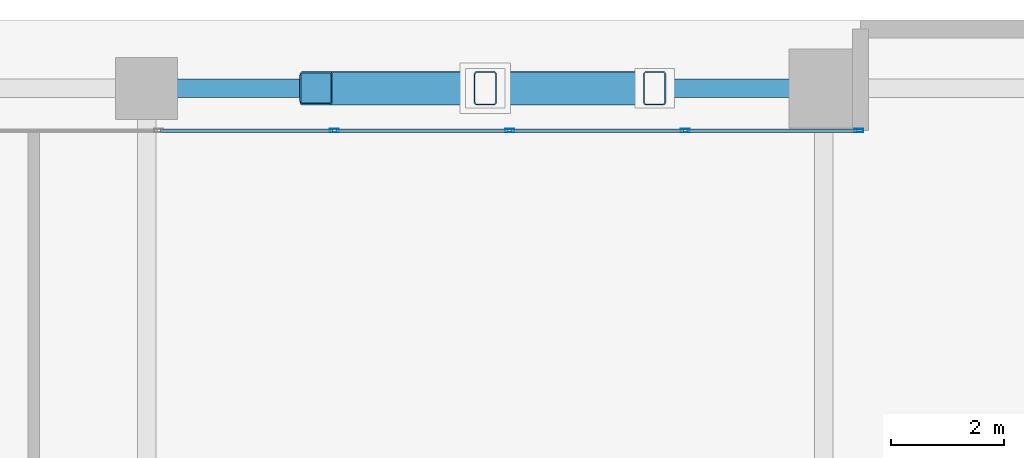
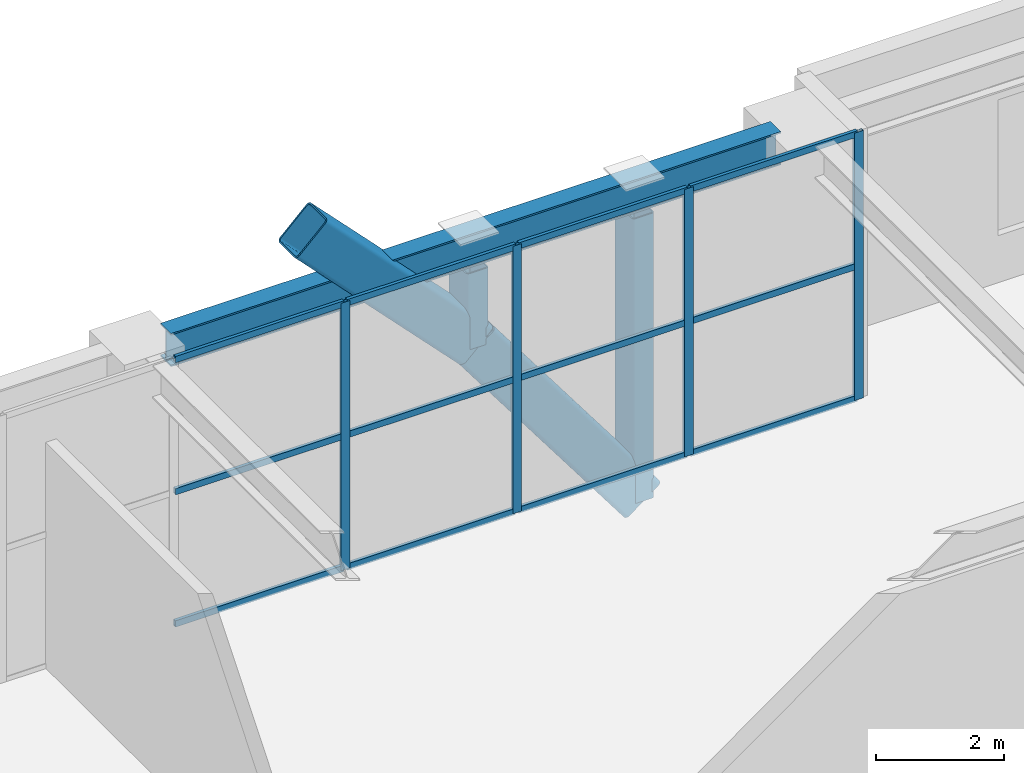
# One storey, part 16 of 28: 20 members, 1 beam, 1 element without a shape of its own.
"""IFC4 building model written with IfcOpenShell, lengths in metres."""

from ifc_helpers import new_model, si_unit, direction, frame, origin, origin_2d, place, context, subcontext, project, spatial, hollow_rectangle, i_section, extrude, material, layer, layer_set, material_profile, profile_set, type_object, element, aggregate, save


model = new_model("IFC4")

# Units and contexts
model_context = context("Model", 3, precision=1e-05, world=origin(), true_north=direction((0.0, 1.0)))
body_context = subcontext(model_context, "Body", "Model", "MODEL_VIEW")
ifc_project = project(units=[si_unit("LENGTHUNIT", "METRE"), si_unit("AREAUNIT", "SQUARE_METRE"), si_unit("VOLUMEUNIT", "CUBIC_METRE"), si_unit("PLANEANGLEUNIT", "RADIAN"), si_unit("MASSUNIT", "GRAM", prefix="KILO")], contexts=[model_context])

# Site, building, storey
site_placement = place(None, origin())
site = spatial("IfcSite", under=ifc_project, at=site_placement, CompositionType="ELEMENT")
building_placement = place(site_placement, origin())
building = spatial("IfcBuilding", under=site, at=building_placement, Name="Sarneth Arch Tower", CompositionType="ELEMENT")
storey_placement = place(building_placement, frame((0.0, 0.0, 6.0)))
storey = spatial("IfcBuildingStorey", under=building, at=storey_placement, Name="L01", CompositionType="ELEMENT", Elevation=6.0)

# Beam
ifc_material_1 = material(Name="Steel S355", Category="steel")
ifc_material_profile_1 = material_profile(ifc_material_1, i_section(OverallWidth=0.3291015625, OverallDepth=0.635009765625, WebThickness=0.017822265625, FlangeThickness=0.031005859375, FilletRadius=0.01904296875, at=origin_2d()), Name="W610x241")
ifc_profile_set_1 = profile_set([ifc_material_profile_1], Name="Steel S355")
beam_type = type_object("IfcBeamType", Name="BM-POD-610", PredefinedType="BEAM", material=ifc_profile_set_1)
beam_placement = place(storey_placement, frame((54.52001953125, 74.800048828125, 4.802490234375), z_axis=(1.0, 0.0, 0.0), x_axis=(0.0, 1.0, 0.0)))
element("IfcBeam", 1, at=beam_placement, inside=storey, type_object=beam_type, Name="L01 Podium PN girder 6", PredefinedType="BEAM", context=body_context, shape_type="SweptSolid", body=[
    extrude(i_section(OverallWidth=0.3291015625, OverallDepth=0.635009765625, WebThickness=0.017822265625, FlangeThickness=0.031005859375, FilletRadius=0.01904296875, at=origin_2d()), origin(), (0.0, 0.0, 1.0), 11.04443359375),
])

# Curtain wall, members
ifc_material_2 = material(Name="Anodised aluminium Type AA25 and solar-control low-e laminated IGU", Category="aluminium")
ifc_layer = layer(ifc_material_2, 0.199951171875)
ifc_layer_set = layer_set([ifc_layer], Name="Anodised aluminium Type AA25 and solar-control low-e laminated IGU")
curtain_wall_type = type_object("IfcCurtainWallType", Name="CW-ARCH-GLAZE", PredefinedType="NOTDEFINED", material=ifc_layer_set)
curtain_wall_placement = place(storey_placement, origin())
curtain_wall = element("IfcCurtainWall", 2, at=curtain_wall_placement, inside=storey, type_object=curtain_wall_type, Name="L01 North parabolic arch portal curtain wall", PredefinedType="NOTDEFINED")
ifc_material_3 = material(Name="Anodised Aluminium 6063-T6", Category="aluminium")
ifc_material_profile_2 = material_profile(ifc_material_3, hollow_rectangle(XDim=0.06005859375, YDim=0.159912109375, WallThickness=0.00390625, at=origin_2d()), Name="AL-MULL-160x60x4")
ifc_profile_set_2 = profile_set([ifc_material_profile_2], Name="Anodised Aluminium 6063-T6")
member_type_1 = type_object("IfcMemberType", Name="CW-MULLION", PredefinedType="MULLION", material=ifc_profile_set_2)
member_1_placement = place(storey_placement, frame((66.6201171875, 74.050048828125, 0.0), z_axis=(0.0, 0.0, 1.0), x_axis=(0.0, -1.0, 0.0)))
member_1 = element("IfcMember", 3, at=member_1_placement, type_object=member_type_1, Name="CW-SYS-2 mullion 1", PredefinedType="MULLION", context=body_context, shape_type="SweptSolid", body=[
    extrude(hollow_rectangle(XDim=0.06005859375, YDim=0.159912109375, WallThickness=0.00390625, at=origin_2d()), origin(), (0.0, 0.0, 1.0), 5.1201171875),
])
member_2_placement = place(storey_placement, frame((63.541748046875, 74.050048828125, 0.0), z_axis=(0.0, 0.0, 1.0), x_axis=(0.0, -1.0, 0.0)))
member_2 = element("IfcMember", 4, at=member_2_placement, type_object=member_type_1, Name="CW-SYS-2 mullion 2", PredefinedType="MULLION", context=body_context, shape_type="SweptSolid", body=[
    extrude(hollow_rectangle(XDim=0.06005859375, YDim=0.159912109375, WallThickness=0.00390625, at=origin_2d()), origin(), (0.0, 0.0, 1.0), 5.1201171875),
])
member_3_placement = place(storey_placement, frame((60.433349609375, 74.050048828125, 0.0), z_axis=(0.0, 0.0, 1.0), x_axis=(0.0, -1.0, 0.0)))
member_3 = element("IfcMember", 5, at=member_3_placement, type_object=member_type_1, Name="CW-SYS-2 mullion 3", PredefinedType="MULLION", context=body_context, shape_type="SweptSolid", body=[
    extrude(hollow_rectangle(XDim=0.06005859375, YDim=0.159912109375, WallThickness=0.00390625, at=origin_2d()), origin(), (0.0, 0.0, 1.0), 5.1201171875),
])
member_4_placement = place(storey_placement, frame((57.324951171875, 74.050048828125, 0.0), z_axis=(0.0, 0.0, 1.0), x_axis=(0.0, -1.0, 0.0)))
member_4 = element("IfcMember", 6, at=member_4_placement, type_object=member_type_1, Name="CW-SYS-2 mullion 4", PredefinedType="MULLION", context=body_context, shape_type="SweptSolid", body=[
    extrude(hollow_rectangle(XDim=0.06005859375, YDim=0.159912109375, WallThickness=0.00390625, at=origin_2d()), origin(), (0.0, 0.0, 1.0), 5.1201171875),
])
ifc_material_4 = material(Name="Anodised Aluminium 6063-T6", Category="aluminium")
ifc_material_profile_3 = material_profile(ifc_material_4, hollow_rectangle(XDim=0.06005859375, YDim=0.1201171875, WallThickness=0.00390625, at=origin_2d()), Name="AL-TRAN-120x60x4")
ifc_profile_set_3 = profile_set([ifc_material_profile_3], Name="Anodised Aluminium 6063-T6")
member_type_2 = type_object("IfcMemberType", Name="CW-TRANSOM", PredefinedType="USERDEFINED", material=ifc_profile_set_3)
member_5_placement = place(storey_placement, frame((66.590087890625, 74.050048828125, 0.030029296875), z_axis=(-1.0, 0.0, 0.0), x_axis=(0.0, -1.0, 0.0)))
member_5 = element("IfcMember", 7, at=member_5_placement, type_object=member_type_2, Name="CW-SYS-2 transom 1.1", ObjectType="TRANSOM", PredefinedType="USERDEFINED", context=body_context, shape_type="SweptSolid", body=[
    extrude(hollow_rectangle(XDim=0.06005859375, YDim=0.1201171875, WallThickness=0.00390625, at=origin_2d()), origin(), (0.0, 0.0, 1.0), 3.018310546875),
])
member_6_placement = place(storey_placement, frame((66.590087890625, 74.050048828125, 2.56005859375), z_axis=(-1.0, 0.0, 0.0), x_axis=(0.0, -1.0, 0.0)))
member_6 = element("IfcMember", 8, at=member_6_placement, type_object=member_type_2, Name="CW-SYS-2 transom 1.2", ObjectType="TRANSOM", PredefinedType="USERDEFINED", context=body_context, shape_type="SweptSolid", body=[
    extrude(hollow_rectangle(XDim=0.06005859375, YDim=0.1201171875, WallThickness=0.00390625, at=origin_2d()), origin(), (0.0, 0.0, 1.0), 3.018310546875),
])
member_7_placement = place(storey_placement, frame((66.590087890625, 74.050048828125, 5.090087890625), z_axis=(-1.0, 0.0, 0.0), x_axis=(0.0, -1.0, 0.0)))
member_7 = element("IfcMember", 9, at=member_7_placement, type_object=member_type_2, Name="CW-SYS-2 transom 1.3", ObjectType="TRANSOM", PredefinedType="USERDEFINED", context=body_context, shape_type="SweptSolid", body=[
    extrude(hollow_rectangle(XDim=0.06005859375, YDim=0.1201171875, WallThickness=0.00390625, at=origin_2d()), origin(), (0.0, 0.0, 1.0), 3.018310546875),
])
member_8_placement = place(storey_placement, frame((63.51171875, 74.050048828125, 0.030029296875), z_axis=(-1.0, 0.0, 0.0), x_axis=(0.0, -1.0, 0.0)))
member_8 = element("IfcMember", 10, at=member_8_placement, type_object=member_type_2, Name="CW-SYS-2 transom 2.1", ObjectType="TRANSOM", PredefinedType="USERDEFINED", context=body_context, shape_type="SweptSolid", body=[
    extrude(hollow_rectangle(XDim=0.06005859375, YDim=0.1201171875, WallThickness=0.00390625, at=origin_2d()), origin(), (0.0, 0.0, 1.0), 3.04833984375),
])
member_9_placement = place(storey_placement, frame((63.51171875, 74.050048828125, 2.56005859375), z_axis=(-1.0, 0.0, 0.0), x_axis=(0.0, -1.0, 0.0)))
member_9 = element("IfcMember", 11, at=member_9_placement, type_object=member_type_2, Name="CW-SYS-2 transom 2.2", ObjectType="TRANSOM", PredefinedType="USERDEFINED", context=body_context, shape_type="SweptSolid", body=[
    extrude(hollow_rectangle(XDim=0.06005859375, YDim=0.1201171875, WallThickness=0.00390625, at=origin_2d()), origin(), (0.0, 0.0, 1.0), 3.04833984375),
])
member_10_placement = place(storey_placement, frame((63.51171875, 74.050048828125, 5.090087890625), z_axis=(-1.0, 0.0, 0.0), x_axis=(0.0, -1.0, 0.0)))
member_10 = element("IfcMember", 12, at=member_10_placement, type_object=member_type_2, Name="CW-SYS-2 transom 2.3", ObjectType="TRANSOM", PredefinedType="USERDEFINED", context=body_context, shape_type="SweptSolid", body=[
    extrude(hollow_rectangle(XDim=0.06005859375, YDim=0.1201171875, WallThickness=0.00390625, at=origin_2d()), origin(), (0.0, 0.0, 1.0), 3.04833984375),
])
member_11_placement = place(storey_placement, frame((60.4033203125, 74.050048828125, 0.030029296875), z_axis=(-1.0, 0.0, 0.0), x_axis=(0.0, -1.0, 0.0)))
member_11 = element("IfcMember", 13, at=member_11_placement, type_object=member_type_2, Name="CW-SYS-2 transom 3.1", ObjectType="TRANSOM", PredefinedType="USERDEFINED", context=body_context, shape_type="SweptSolid", body=[
    extrude(hollow_rectangle(XDim=0.06005859375, YDim=0.1201171875, WallThickness=0.00390625, at=origin_2d()), origin(), (0.0, 0.0, 1.0), 3.04833984375),
])
member_12_placement = place(storey_placement, frame((60.4033203125, 74.050048828125, 2.56005859375), z_axis=(-1.0, 0.0, 0.0), x_axis=(0.0, -1.0, 0.0)))
member_12 = element("IfcMember", 14, at=member_12_placement, type_object=member_type_2, Name="CW-SYS-2 transom 3.2", ObjectType="TRANSOM", PredefinedType="USERDEFINED", context=body_context, shape_type="SweptSolid", body=[
    extrude(hollow_rectangle(XDim=0.06005859375, YDim=0.1201171875, WallThickness=0.00390625, at=origin_2d()), origin(), (0.0, 0.0, 1.0), 3.04833984375),
])
member_13_placement = place(storey_placement, frame((60.4033203125, 74.050048828125, 5.090087890625), z_axis=(-1.0, 0.0, 0.0), x_axis=(0.0, -1.0, 0.0)))
member_13 = element("IfcMember", 15, at=member_13_placement, type_object=member_type_2, Name="CW-SYS-2 transom 3.3", ObjectType="TRANSOM", PredefinedType="USERDEFINED", context=body_context, shape_type="SweptSolid", body=[
    extrude(hollow_rectangle(XDim=0.06005859375, YDim=0.1201171875, WallThickness=0.00390625, at=origin_2d()), origin(), (0.0, 0.0, 1.0), 3.04833984375),
])
member_14_placement = place(storey_placement, frame((57.294921875, 74.050048828125, 0.030029296875), z_axis=(-1.0, 0.0, 0.0), x_axis=(0.0, -1.0, 0.0)))
member_14 = element("IfcMember", 16, at=member_14_placement, type_object=member_type_2, Name="CW-SYS-2 transom 4.1", ObjectType="TRANSOM", PredefinedType="USERDEFINED", context=body_context, shape_type="SweptSolid", body=[
    extrude(hollow_rectangle(XDim=0.06005859375, YDim=0.1201171875, WallThickness=0.00390625, at=origin_2d()), origin(), (0.0, 0.0, 1.0), 3.04833984375),
])
member_15_placement = place(storey_placement, frame((57.294921875, 74.050048828125, 2.56005859375), z_axis=(-1.0, 0.0, 0.0), x_axis=(0.0, -1.0, 0.0)))
member_15 = element("IfcMember", 17, at=member_15_placement, type_object=member_type_2, Name="CW-SYS-2 transom 4.2", ObjectType="TRANSOM", PredefinedType="USERDEFINED", context=body_context, shape_type="SweptSolid", body=[
    extrude(hollow_rectangle(XDim=0.06005859375, YDim=0.1201171875, WallThickness=0.00390625, at=origin_2d()), origin(), (0.0, 0.0, 1.0), 3.04833984375),
])
member_16_placement = place(storey_placement, frame((57.294921875, 74.050048828125, 5.090087890625), z_axis=(-1.0, 0.0, 0.0), x_axis=(0.0, -1.0, 0.0)))
member_16 = element("IfcMember", 18, at=member_16_placement, type_object=member_type_2, Name="CW-SYS-2 transom 4.3", ObjectType="TRANSOM", PredefinedType="USERDEFINED", context=body_context, shape_type="SweptSolid", body=[
    extrude(hollow_rectangle(XDim=0.06005859375, YDim=0.1201171875, WallThickness=0.00390625, at=origin_2d()), origin(), (0.0, 0.0, 1.0), 3.04833984375),
])
aggregate(curtain_wall, [member_1, member_2, member_3, member_4, member_5, member_6, member_7, member_8, member_9, member_10, member_11, member_12, member_13, member_14, member_15, member_16])

# Members
ifc_material_5 = material(Name="Steel S355", Category="steel")
ifc_material_profile_4 = material_profile(ifc_material_5, hollow_rectangle(XDim=0.60009765625, YDim=0.800048828125, WallThickness=0.028076171875, InnerFilletRadius=0.0419921875, OuterFilletRadius=0.070068359375, at=origin_2d()), Name="RHS800x600x28")
ifc_profile_set_4 = profile_set([ifc_material_profile_4], Name="Steel S355")
member_type_3 = type_object("IfcMemberType", Name="MEM-ARCH-CHORD", PredefinedType="CHORD", material=ifc_profile_set_4)
member_17_placement = place(storey_placement, frame((57.0, 74.800048828125, 6.13134765625), z_axis=(0.694675220792, 0.0, -0.71932352778), x_axis=(0.0, 1.0, 0.0)))
element("IfcMember", 19, at=member_17_placement, inside=storey, type_object=member_type_3, Name="Podium parabolic arch rib 6 segment 10", PredefinedType="CHORD", context=body_context, shape_type="SweptSolid", body=[
    extrude(hollow_rectangle(XDim=0.60009765625, YDim=0.800048828125, WallThickness=0.028076171875, InnerFilletRadius=0.0419921875, OuterFilletRadius=0.070068359375, at=origin_2d()), origin(), (0.0, 0.0, 1.0), 4.318603515625),
])
member_18_placement = place(storey_placement, frame((60.0, 74.800048828125, 3.02490234375), z_axis=(0.60060981993, 0.0, -0.799542271681), x_axis=(0.0, 1.0, 0.0)))
element("IfcMember", 20, at=member_18_placement, inside=storey, type_object=member_type_3, Name="Podium parabolic arch rib 6 segment 11", PredefinedType="CHORD", context=body_context, shape_type="SweptSolid", body=[
    extrude(hollow_rectangle(XDim=0.60009765625, YDim=0.800048828125, WallThickness=0.028076171875, InnerFilletRadius=0.0419921875, OuterFilletRadius=0.070068359375, at=origin_2d()), origin(), (0.0, 0.0, 1.0), 4.994873046875),
])
ifc_material_6 = material(Name="Steel S355", Category="steel")
ifc_material_profile_5 = material_profile(ifc_material_6, hollow_rectangle(XDim=0.39990234375, YDim=0.60009765625, WallThickness=0.02197265625, InnerFilletRadius=0.032958984375, OuterFilletRadius=0.054931640625, at=origin_2d()), Name="RHS600x400x22")
ifc_profile_set_5 = profile_set([ifc_material_profile_5], Name="Steel S355")
member_type_4 = type_object("IfcMemberType", Name="MEM-ARCH-WEB", PredefinedType="BRACE", material=ifc_profile_set_5)
member_19_placement = place(storey_placement, frame((60.0, 74.800048828125, 3.02490234375), z_axis=(0.0, 0.0, 1.0), x_axis=(1.0, 0.0, 0.0)))
element("IfcMember", 21, at=member_19_placement, inside=storey, type_object=member_type_4, Name="Podium arch spandrel post 6.10A", PredefinedType="BRACE", context=body_context, shape_type="SweptSolid", body=[
    extrude(hollow_rectangle(XDim=0.39990234375, YDim=0.60009765625, WallThickness=0.02197265625, InnerFilletRadius=0.032958984375, OuterFilletRadius=0.054931640625, at=origin_2d()), origin(), (0.0, 0.0, 1.0), 1.460205078125),
])
member_20_placement = place(storey_placement, frame((63.0, 74.800048828125, -0.96875), z_axis=(0.0, 0.0, 1.0), x_axis=(1.0, 0.0, 0.0)))
element("IfcMember", 22, at=member_20_placement, inside=storey, type_object=member_type_4, Name="Podium arch spandrel post 6.11A", PredefinedType="BRACE", context=body_context, shape_type="SweptSolid", body=[
    extrude(hollow_rectangle(XDim=0.39990234375, YDim=0.60009765625, WallThickness=0.02197265625, InnerFilletRadius=0.032958984375, OuterFilletRadius=0.054931640625, at=origin_2d()), origin(), (0.0, 0.0, 1.0), 5.453857421875),
])

save(model, "model.ifc")
